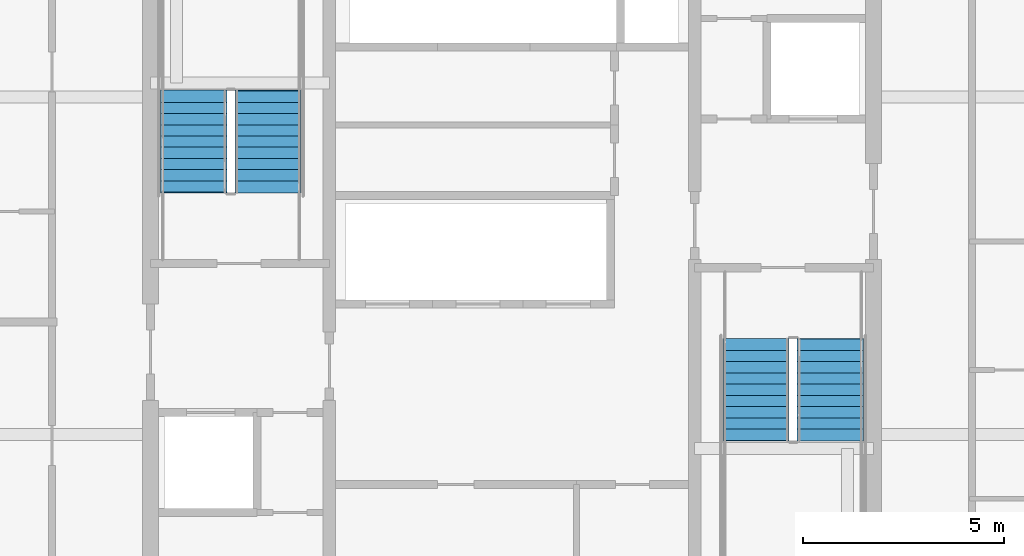
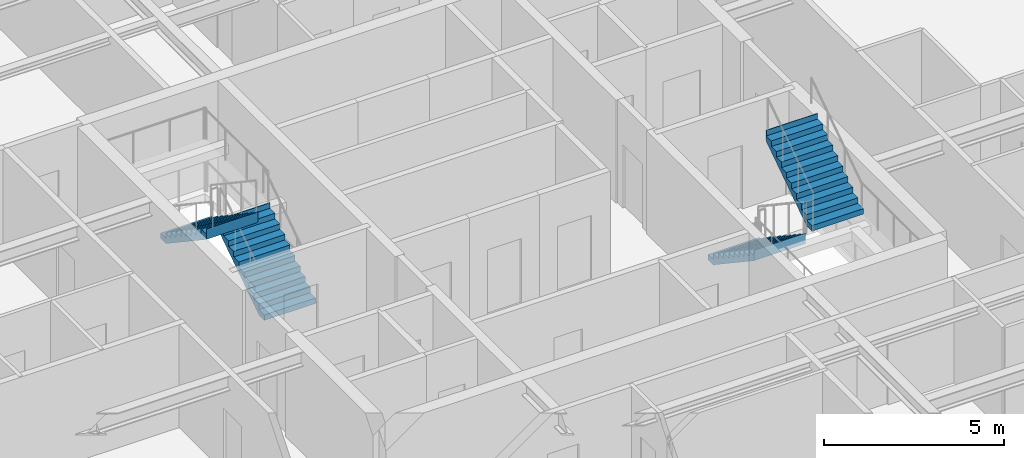
# One storey, part 30 of 35: 4 stair flights, 2 elements without a shape of their own.
"""IFC4 building model written with IfcOpenShell, lengths in metres."""

from ifc_helpers import new_model, si_unit, direction, frame, origin, place, context, subcontext, project, spatial, polygons, material, type_object, element, aggregate, save


model = new_model("IFC4")

# Units and contexts
model_context = context("Model", 3, precision=1e-05, world=origin(), true_north=direction((0.0, 1.0)))
body_context = subcontext(model_context, "Body", "Model", "MODEL_VIEW")
ifc_project = project(units=[si_unit("LENGTHUNIT", "METRE"), si_unit("AREAUNIT", "SQUARE_METRE"), si_unit("VOLUMEUNIT", "CUBIC_METRE"), si_unit("PLANEANGLEUNIT", "RADIAN"), si_unit("MASSUNIT", "GRAM", prefix="KILO")], contexts=[model_context])

# Site, building, storey
site_placement = place(None, origin())
site = spatial("IfcSite", under=ifc_project, at=site_placement, CompositionType="ELEMENT")
building_placement = place(site_placement, origin())
building = spatial("IfcBuilding", under=site, at=building_placement, Name="Serunith Strait Residences", CompositionType="ELEMENT")
storey_placement = place(building_placement, frame((0.0, 0.0, 172.64990234375)))
storey = spatial("IfcBuildingStorey", under=building, at=storey_placement, Name="L43", CompositionType="ELEMENT", Elevation=172.64990234375)

# Stair, stair flights
ifc_material = material(Name="Concrete C50/60", Category="concrete")
stair_type_1 = type_object("IfcStairType", Name="STR-CORE-1", PredefinedType="HALF_TURN_STAIR", material=ifc_material)
stair_1_placement = place(storey_placement, origin())
stair_1 = element("IfcStair", 1, at=stair_1_placement, inside=storey, type_object=stair_type_1, Name="L43 Protected Escape Stair ST-1", PredefinedType="HALF_TURN_STAIR")
stair_flight_type_1 = type_object("IfcStairFlightType", Name="FLT-CORE-1", PredefinedType="STRAIGHT", material=ifc_material)
stair_flight_1_placement = place(storey_placement, frame((26.324951171875, 27.030029296875, 0.0), z_axis=(0.0, 0.0, 1.0), x_axis=(0.0, 1.0, 0.0)))
stair_flight_1 = element("IfcStairFlight", 2, at=stair_flight_1_placement, type_object=stair_flight_type_1, Name="ST-1 flight 1", NumberOfRisers=10, NumberOfTreads=9, PredefinedType="STRAIGHT", RiserHeight=0.1875, TreadLength=0.28, context=body_context, shape_type="Tessellation", body=[
    polygons([(-0.02001953125, -0.824951171875, 0.0), (-0.02001953125, -0.824951171875, 0.1875), (0.280029296875, -0.824951171875, 0.1875), (0.280029296875, -0.824951171875, 0.375), (0.56005859375, -0.824951171875, 0.375), (0.56005859375, -0.824951171875, 0.5625), (0.840087890625, -0.824951171875, 0.5625), (0.840087890625, -0.824951171875, 0.75), (1.1201171875, -0.824951171875, 0.75), (1.1201171875, -0.824951171875, 0.9375), (1.39990234375, -0.824951171875, 0.9375), (1.39990234375, -0.824951171875, 1.125), (1.679931640625, -0.824951171875, 1.125), (1.679931640625, -0.824951171875, 1.3125), (1.9599609375, -0.824951171875, 1.3125), (1.9599609375, -0.824951171875, 1.5), (2.239990234375, -0.824951171875, 1.5), (2.239990234375, -0.824951171875, 1.6875), (2.52001953125, -0.824951171875, 1.6875), (2.52001953125, -0.824951171875, 1.875), (2.5400390625, -0.824951171875, 1.875), (2.5400390625, -0.824951171875, 1.81494140625), (2.52001953125, -0.824951171875, 1.507080078125), (0.26953125, -0.824951171875, 0.0), (-0.02001953125, -0.41259765625, 0.0), (-0.02001953125, -0.41259765625, 0.1875), (0.280029296875, -0.41259765625, 0.1875), (0.280029296875, -0.41259765625, 0.375), (0.56005859375, -0.41259765625, 0.375), (0.56005859375, -0.41259765625, 0.5625), (0.840087890625, -0.41259765625, 0.5625), (0.840087890625, -0.41259765625, 0.75), (1.1201171875, -0.41259765625, 0.75), (1.1201171875, -0.41259765625, 0.9375), (1.39990234375, -0.41259765625, 0.9375), (1.39990234375, -0.41259765625, 1.125), (1.679931640625, -0.41259765625, 1.125), (1.679931640625, -0.41259765625, 1.3125), (1.9599609375, -0.41259765625, 1.3125), (1.9599609375, -0.41259765625, 1.5), (2.239990234375, -0.41259765625, 1.5), (2.239990234375, -0.41259765625, 1.6875), (2.52001953125, -0.41259765625, 1.6875), (2.52001953125, -0.41259765625, 1.875), (2.5400390625, -0.41259765625, 1.875), (2.5400390625, -0.41259765625, 1.81494140625), (2.52001953125, -0.41259765625, 1.507080078125), (0.26953125, -0.41259765625, 0.0), (-0.02001953125, 0.0, 0.0), (-0.02001953125, 0.0, 0.1875), (0.280029296875, 0.0, 0.1875), (0.280029296875, 0.0, 0.375), (0.56005859375, 0.0, 0.375), (0.56005859375, 0.0, 0.5625), (0.840087890625, 0.0, 0.5625), (0.840087890625, 0.0, 0.75), (1.1201171875, 0.0, 0.75), (1.1201171875, 0.0, 0.9375), (1.39990234375, 0.0, 0.9375), (1.39990234375, 0.0, 1.125), (1.679931640625, 0.0, 1.125), (1.679931640625, 0.0, 1.3125), (1.9599609375, 0.0, 1.3125), (1.9599609375, 0.0, 1.5), (2.239990234375, 0.0, 1.5), (2.239990234375, 0.0, 1.6875), (2.52001953125, 0.0, 1.6875), (2.52001953125, 0.0, 1.875), (2.5400390625, 0.0, 1.875), (2.5400390625, 0.0, 1.81494140625), (2.52001953125, 0.0, 1.507080078125), (0.26953125, 0.0, 0.0), (-0.02001953125, 0.41259765625, 0.0), (-0.02001953125, 0.41259765625, 0.1875), (0.280029296875, 0.41259765625, 0.1875), (0.280029296875, 0.41259765625, 0.375), (0.56005859375, 0.41259765625, 0.375), (0.56005859375, 0.41259765625, 0.5625), (0.840087890625, 0.41259765625, 0.5625), (0.840087890625, 0.41259765625, 0.75), (1.1201171875, 0.41259765625, 0.75), (1.1201171875, 0.41259765625, 0.9375), (1.39990234375, 0.41259765625, 0.9375), (1.39990234375, 0.41259765625, 1.125), (1.679931640625, 0.41259765625, 1.125), (1.679931640625, 0.41259765625, 1.3125), (1.9599609375, 0.41259765625, 1.3125), (1.9599609375, 0.41259765625, 1.5), (2.239990234375, 0.41259765625, 1.5), (2.239990234375, 0.41259765625, 1.6875), (2.52001953125, 0.41259765625, 1.6875), (2.52001953125, 0.41259765625, 1.875), (2.5400390625, 0.41259765625, 1.875), (2.5400390625, 0.41259765625, 1.81494140625), (2.52001953125, 0.41259765625, 1.507080078125), (0.26953125, 0.41259765625, 0.0), (-0.02001953125, 0.824951171875, 0.0), (-0.02001953125, 0.824951171875, 0.1875), (0.280029296875, 0.824951171875, 0.1875), (0.280029296875, 0.824951171875, 0.375), (0.56005859375, 0.824951171875, 0.375), (0.56005859375, 0.824951171875, 0.5625), (0.840087890625, 0.824951171875, 0.5625), (0.840087890625, 0.824951171875, 0.75), (1.1201171875, 0.824951171875, 0.75), (1.1201171875, 0.824951171875, 0.9375), (1.39990234375, 0.824951171875, 0.9375), (1.39990234375, 0.824951171875, 1.125), (1.679931640625, 0.824951171875, 1.125), (1.679931640625, 0.824951171875, 1.3125), (1.9599609375, 0.824951171875, 1.3125), (1.9599609375, 0.824951171875, 1.5), (2.239990234375, 0.824951171875, 1.5), (2.239990234375, 0.824951171875, 1.6875), (2.52001953125, 0.824951171875, 1.6875), (2.52001953125, 0.824951171875, 1.875), (2.5400390625, 0.824951171875, 1.875), (2.5400390625, 0.824951171875, 1.81494140625), (2.52001953125, 0.824951171875, 1.507080078125), (0.26953125, 0.824951171875, 0.0)], [[[1, 2, 26, 25]], [[2, 3, 27, 26]], [[3, 4, 28, 27]], [[4, 5, 29, 28]], [[5, 6, 30, 29]], [[6, 7, 31, 30]], [[7, 8, 32, 31]], [[8, 9, 33, 32]], [[9, 10, 34, 33]], [[10, 11, 35, 34]], [[11, 12, 36, 35]], [[12, 13, 37, 36]], [[13, 14, 38, 37]], [[14, 15, 39, 38]], [[15, 16, 40, 39]], [[16, 17, 41, 40]], [[17, 18, 42, 41]], [[18, 19, 43, 42]], [[19, 20, 44, 43]], [[20, 21, 45, 44]], [[21, 22, 46, 45]], [[22, 23, 47, 46]], [[23, 24, 48, 47]], [[24, 1, 25, 48]], [[25, 26, 50, 49]], [[26, 27, 51, 50]], [[27, 28, 52, 51]], [[28, 29, 53, 52]], [[29, 30, 54, 53]], [[30, 31, 55, 54]], [[31, 32, 56, 55]], [[32, 33, 57, 56]], [[33, 34, 58, 57]], [[34, 35, 59, 58]], [[35, 36, 60, 59]], [[36, 37, 61, 60]], [[37, 38, 62, 61]], [[38, 39, 63, 62]], [[39, 40, 64, 63]], [[40, 41, 65, 64]], [[41, 42, 66, 65]], [[42, 43, 67, 66]], [[43, 44, 68, 67]], [[44, 45, 69, 68]], [[45, 46, 70, 69]], [[46, 47, 71, 70]], [[47, 48, 72, 71]], [[48, 25, 49, 72]], [[49, 50, 74, 73]], [[50, 51, 75, 74]], [[51, 52, 76, 75]], [[52, 53, 77, 76]], [[53, 54, 78, 77]], [[54, 55, 79, 78]], [[55, 56, 80, 79]], [[56, 57, 81, 80]], [[57, 58, 82, 81]], [[58, 59, 83, 82]], [[59, 60, 84, 83]], [[60, 61, 85, 84]], [[61, 62, 86, 85]], [[62, 63, 87, 86]], [[63, 64, 88, 87]], [[64, 65, 89, 88]], [[65, 66, 90, 89]], [[66, 67, 91, 90]], [[67, 68, 92, 91]], [[68, 69, 93, 92]], [[69, 70, 94, 93]], [[70, 71, 95, 94]], [[71, 72, 96, 95]], [[72, 49, 73, 96]], [[73, 74, 98, 97]], [[74, 75, 99, 98]], [[75, 76, 100, 99]], [[76, 77, 101, 100]], [[77, 78, 102, 101]], [[78, 79, 103, 102]], [[79, 80, 104, 103]], [[80, 81, 105, 104]], [[81, 82, 106, 105]], [[82, 83, 107, 106]], [[83, 84, 108, 107]], [[84, 85, 109, 108]], [[85, 86, 110, 109]], [[86, 87, 111, 110]], [[87, 88, 112, 111]], [[88, 89, 113, 112]], [[89, 90, 114, 113]], [[90, 91, 115, 114]], [[91, 92, 116, 115]], [[92, 93, 117, 116]], [[93, 94, 118, 117]], [[94, 95, 119, 118]], [[95, 96, 120, 119]], [[96, 73, 97, 120]], [[24, 23, 22, 21, 20, 19, 18, 17, 16, 15, 14, 13, 12, 11, 10, 9, 8, 7, 6, 5, 4, 3, 2, 1]], [[97, 98, 99, 100, 101, 102, 103, 104, 105, 106, 107, 108, 109, 110, 111, 112, 113, 114, 115, 116, 117, 118, 119, 120]]], closed=True),
])
stair_flight_2_placement = place(storey_placement, frame((24.47509765625, 29.550048828125, 1.875), z_axis=(0.0, 0.0, 1.0), x_axis=(0.0, -1.0, 0.0)))
stair_flight_2 = element("IfcStairFlight", 3, at=stair_flight_2_placement, type_object=stair_flight_type_1, Name="ST-1 flight 2", NumberOfRisers=10, NumberOfTreads=9, PredefinedType="STRAIGHT", RiserHeight=0.1875, TreadLength=0.28, context=body_context, shape_type="Tessellation", body=[
    polygons([(-0.02001953125, -0.824951171875, 0.0), (-0.02001953125, -0.824951171875, 0.1875), (0.280029296875, -0.824951171875, 0.1875), (0.280029296875, -0.824951171875, 0.375), (0.56005859375, -0.824951171875, 0.375), (0.56005859375, -0.824951171875, 0.5625), (0.840087890625, -0.824951171875, 0.5625), (0.840087890625, -0.824951171875, 0.75), (1.1201171875, -0.824951171875, 0.75), (1.1201171875, -0.824951171875, 0.9375), (1.39990234375, -0.824951171875, 0.9375), (1.39990234375, -0.824951171875, 1.125), (1.679931640625, -0.824951171875, 1.125), (1.679931640625, -0.824951171875, 1.3125), (1.9599609375, -0.824951171875, 1.3125), (1.9599609375, -0.824951171875, 1.5), (2.239990234375, -0.824951171875, 1.5), (2.239990234375, -0.824951171875, 1.6875), (2.52001953125, -0.824951171875, 1.6875), (2.52001953125, -0.824951171875, 1.875), (2.5400390625, -0.824951171875, 1.875), (2.5400390625, -0.824951171875, 1.81494140625), (2.52001953125, -0.824951171875, 1.507080078125), (0.26953125, -0.824951171875, 0.0), (-0.02001953125, -0.41259765625, 0.0), (-0.02001953125, -0.41259765625, 0.1875), (0.280029296875, -0.41259765625, 0.1875), (0.280029296875, -0.41259765625, 0.375), (0.56005859375, -0.41259765625, 0.375), (0.56005859375, -0.41259765625, 0.5625), (0.840087890625, -0.41259765625, 0.5625), (0.840087890625, -0.41259765625, 0.75), (1.1201171875, -0.41259765625, 0.75), (1.1201171875, -0.41259765625, 0.9375), (1.39990234375, -0.41259765625, 0.9375), (1.39990234375, -0.41259765625, 1.125), (1.679931640625, -0.41259765625, 1.125), (1.679931640625, -0.41259765625, 1.3125), (1.9599609375, -0.41259765625, 1.3125), (1.9599609375, -0.41259765625, 1.5), (2.239990234375, -0.41259765625, 1.5), (2.239990234375, -0.41259765625, 1.6875), (2.52001953125, -0.41259765625, 1.6875), (2.52001953125, -0.41259765625, 1.875), (2.5400390625, -0.41259765625, 1.875), (2.5400390625, -0.41259765625, 1.81494140625), (2.52001953125, -0.41259765625, 1.507080078125), (0.26953125, -0.41259765625, 0.0), (-0.02001953125, 0.0, 0.0), (-0.02001953125, 0.0, 0.1875), (0.280029296875, 0.0, 0.1875), (0.280029296875, 0.0, 0.375), (0.56005859375, 0.0, 0.375), (0.56005859375, 0.0, 0.5625), (0.840087890625, 0.0, 0.5625), (0.840087890625, 0.0, 0.75), (1.1201171875, 0.0, 0.75), (1.1201171875, 0.0, 0.9375), (1.39990234375, 0.0, 0.9375), (1.39990234375, 0.0, 1.125), (1.679931640625, 0.0, 1.125), (1.679931640625, 0.0, 1.3125), (1.9599609375, 0.0, 1.3125), (1.9599609375, 0.0, 1.5), (2.239990234375, 0.0, 1.5), (2.239990234375, 0.0, 1.6875), (2.52001953125, 0.0, 1.6875), (2.52001953125, 0.0, 1.875), (2.5400390625, 0.0, 1.875), (2.5400390625, 0.0, 1.81494140625), (2.52001953125, 0.0, 1.507080078125), (0.26953125, 0.0, 0.0), (-0.02001953125, 0.41259765625, 0.0), (-0.02001953125, 0.41259765625, 0.1875), (0.280029296875, 0.41259765625, 0.1875), (0.280029296875, 0.41259765625, 0.375), (0.56005859375, 0.41259765625, 0.375), (0.56005859375, 0.41259765625, 0.5625), (0.840087890625, 0.41259765625, 0.5625), (0.840087890625, 0.41259765625, 0.75), (1.1201171875, 0.41259765625, 0.75), (1.1201171875, 0.41259765625, 0.9375), (1.39990234375, 0.41259765625, 0.9375), (1.39990234375, 0.41259765625, 1.125), (1.679931640625, 0.41259765625, 1.125), (1.679931640625, 0.41259765625, 1.3125), (1.9599609375, 0.41259765625, 1.3125), (1.9599609375, 0.41259765625, 1.5), (2.239990234375, 0.41259765625, 1.5), (2.239990234375, 0.41259765625, 1.6875), (2.52001953125, 0.41259765625, 1.6875), (2.52001953125, 0.41259765625, 1.875), (2.5400390625, 0.41259765625, 1.875), (2.5400390625, 0.41259765625, 1.81494140625), (2.52001953125, 0.41259765625, 1.507080078125), (0.26953125, 0.41259765625, 0.0), (-0.02001953125, 0.824951171875, 0.0), (-0.02001953125, 0.824951171875, 0.1875), (0.280029296875, 0.824951171875, 0.1875), (0.280029296875, 0.824951171875, 0.375), (0.56005859375, 0.824951171875, 0.375), (0.56005859375, 0.824951171875, 0.5625), (0.840087890625, 0.824951171875, 0.5625), (0.840087890625, 0.824951171875, 0.75), (1.1201171875, 0.824951171875, 0.75), (1.1201171875, 0.824951171875, 0.9375), (1.39990234375, 0.824951171875, 0.9375), (1.39990234375, 0.824951171875, 1.125), (1.679931640625, 0.824951171875, 1.125), (1.679931640625, 0.824951171875, 1.3125), (1.9599609375, 0.824951171875, 1.3125), (1.9599609375, 0.824951171875, 1.5), (2.239990234375, 0.824951171875, 1.5), (2.239990234375, 0.824951171875, 1.6875), (2.52001953125, 0.824951171875, 1.6875), (2.52001953125, 0.824951171875, 1.875), (2.5400390625, 0.824951171875, 1.875), (2.5400390625, 0.824951171875, 1.81494140625), (2.52001953125, 0.824951171875, 1.507080078125), (0.26953125, 0.824951171875, 0.0)], [[[1, 2, 26, 25]], [[2, 3, 27, 26]], [[3, 4, 28, 27]], [[4, 5, 29, 28]], [[5, 6, 30, 29]], [[6, 7, 31, 30]], [[7, 8, 32, 31]], [[8, 9, 33, 32]], [[9, 10, 34, 33]], [[10, 11, 35, 34]], [[11, 12, 36, 35]], [[12, 13, 37, 36]], [[13, 14, 38, 37]], [[14, 15, 39, 38]], [[15, 16, 40, 39]], [[16, 17, 41, 40]], [[17, 18, 42, 41]], [[18, 19, 43, 42]], [[19, 20, 44, 43]], [[20, 21, 45, 44]], [[21, 22, 46, 45]], [[22, 23, 47, 46]], [[23, 24, 48, 47]], [[24, 1, 25, 48]], [[25, 26, 50, 49]], [[26, 27, 51, 50]], [[27, 28, 52, 51]], [[28, 29, 53, 52]], [[29, 30, 54, 53]], [[30, 31, 55, 54]], [[31, 32, 56, 55]], [[32, 33, 57, 56]], [[33, 34, 58, 57]], [[34, 35, 59, 58]], [[35, 36, 60, 59]], [[36, 37, 61, 60]], [[37, 38, 62, 61]], [[38, 39, 63, 62]], [[39, 40, 64, 63]], [[40, 41, 65, 64]], [[41, 42, 66, 65]], [[42, 43, 67, 66]], [[43, 44, 68, 67]], [[44, 45, 69, 68]], [[45, 46, 70, 69]], [[46, 47, 71, 70]], [[47, 48, 72, 71]], [[48, 25, 49, 72]], [[49, 50, 74, 73]], [[50, 51, 75, 74]], [[51, 52, 76, 75]], [[52, 53, 77, 76]], [[53, 54, 78, 77]], [[54, 55, 79, 78]], [[55, 56, 80, 79]], [[56, 57, 81, 80]], [[57, 58, 82, 81]], [[58, 59, 83, 82]], [[59, 60, 84, 83]], [[60, 61, 85, 84]], [[61, 62, 86, 85]], [[62, 63, 87, 86]], [[63, 64, 88, 87]], [[64, 65, 89, 88]], [[65, 66, 90, 89]], [[66, 67, 91, 90]], [[67, 68, 92, 91]], [[68, 69, 93, 92]], [[69, 70, 94, 93]], [[70, 71, 95, 94]], [[71, 72, 96, 95]], [[72, 49, 73, 96]], [[73, 74, 98, 97]], [[74, 75, 99, 98]], [[75, 76, 100, 99]], [[76, 77, 101, 100]], [[77, 78, 102, 101]], [[78, 79, 103, 102]], [[79, 80, 104, 103]], [[80, 81, 105, 104]], [[81, 82, 106, 105]], [[82, 83, 107, 106]], [[83, 84, 108, 107]], [[84, 85, 109, 108]], [[85, 86, 110, 109]], [[86, 87, 111, 110]], [[87, 88, 112, 111]], [[88, 89, 113, 112]], [[89, 90, 114, 113]], [[90, 91, 115, 114]], [[91, 92, 116, 115]], [[92, 93, 117, 116]], [[93, 94, 118, 117]], [[94, 95, 119, 118]], [[95, 96, 120, 119]], [[96, 73, 97, 120]], [[24, 23, 22, 21, 20, 19, 18, 17, 16, 15, 14, 13, 12, 11, 10, 9, 8, 7, 6, 5, 4, 3, 2, 1]], [[97, 98, 99, 100, 101, 102, 103, 104, 105, 106, 107, 108, 109, 110, 111, 112, 113, 114, 115, 116, 117, 118, 119, 120]]], closed=True),
])
aggregate(stair_1, [stair_flight_1, stair_flight_2])

stair_type_2 = type_object("IfcStairType", Name="STR-CORE-2", PredefinedType="HALF_TURN_STAIR", material=ifc_material)
stair_2_placement = place(storey_placement, origin())
stair_2 = element("IfcStair", 4, at=stair_2_placement, inside=storey, type_object=stair_type_2, Name="L43 Protected Escape Stair ST-2", PredefinedType="HALF_TURN_STAIR")
stair_flight_type_2 = type_object("IfcStairFlightType", Name="FLT-CORE-2", PredefinedType="STRAIGHT", material=ifc_material)
stair_flight_3_placement = place(storey_placement, frame((38.47509765625, 23.3701171875, 0.0), z_axis=(0.0, 0.0, 1.0), x_axis=(0.0, -1.0, 0.0)))
stair_flight_3 = element("IfcStairFlight", 5, at=stair_flight_3_placement, type_object=stair_flight_type_2, Name="ST-2 flight 1", NumberOfRisers=10, NumberOfTreads=9, PredefinedType="STRAIGHT", RiserHeight=0.1875, TreadLength=0.28, context=body_context, shape_type="Tessellation", body=[
    polygons([(-0.02001953125, -0.824951171875, 0.0), (-0.02001953125, -0.824951171875, 0.1875), (0.280029296875, -0.824951171875, 0.1875), (0.280029296875, -0.824951171875, 0.375), (0.56005859375, -0.824951171875, 0.375), (0.56005859375, -0.824951171875, 0.5625), (0.840087890625, -0.824951171875, 0.5625), (0.840087890625, -0.824951171875, 0.75), (1.1201171875, -0.824951171875, 0.75), (1.1201171875, -0.824951171875, 0.9375), (1.39990234375, -0.824951171875, 0.9375), (1.39990234375, -0.824951171875, 1.125), (1.679931640625, -0.824951171875, 1.125), (1.679931640625, -0.824951171875, 1.3125), (1.9599609375, -0.824951171875, 1.3125), (1.9599609375, -0.824951171875, 1.5), (2.239990234375, -0.824951171875, 1.5), (2.239990234375, -0.824951171875, 1.6875), (2.52001953125, -0.824951171875, 1.6875), (2.52001953125, -0.824951171875, 1.875), (2.5400390625, -0.824951171875, 1.875), (2.5400390625, -0.824951171875, 1.81494140625), (2.52001953125, -0.824951171875, 1.507080078125), (0.26953125, -0.824951171875, 0.0), (-0.02001953125, -0.41259765625, 0.0), (-0.02001953125, -0.41259765625, 0.1875), (0.280029296875, -0.41259765625, 0.1875), (0.280029296875, -0.41259765625, 0.375), (0.56005859375, -0.41259765625, 0.375), (0.56005859375, -0.41259765625, 0.5625), (0.840087890625, -0.41259765625, 0.5625), (0.840087890625, -0.41259765625, 0.75), (1.1201171875, -0.41259765625, 0.75), (1.1201171875, -0.41259765625, 0.9375), (1.39990234375, -0.41259765625, 0.9375), (1.39990234375, -0.41259765625, 1.125), (1.679931640625, -0.41259765625, 1.125), (1.679931640625, -0.41259765625, 1.3125), (1.9599609375, -0.41259765625, 1.3125), (1.9599609375, -0.41259765625, 1.5), (2.239990234375, -0.41259765625, 1.5), (2.239990234375, -0.41259765625, 1.6875), (2.52001953125, -0.41259765625, 1.6875), (2.52001953125, -0.41259765625, 1.875), (2.5400390625, -0.41259765625, 1.875), (2.5400390625, -0.41259765625, 1.81494140625), (2.52001953125, -0.41259765625, 1.507080078125), (0.26953125, -0.41259765625, 0.0), (-0.02001953125, 0.0, 0.0), (-0.02001953125, 0.0, 0.1875), (0.280029296875, 0.0, 0.1875), (0.280029296875, 0.0, 0.375), (0.56005859375, 0.0, 0.375), (0.56005859375, 0.0, 0.5625), (0.840087890625, 0.0, 0.5625), (0.840087890625, 0.0, 0.75), (1.1201171875, 0.0, 0.75), (1.1201171875, 0.0, 0.9375), (1.39990234375, 0.0, 0.9375), (1.39990234375, 0.0, 1.125), (1.679931640625, 0.0, 1.125), (1.679931640625, 0.0, 1.3125), (1.9599609375, 0.0, 1.3125), (1.9599609375, 0.0, 1.5), (2.239990234375, 0.0, 1.5), (2.239990234375, 0.0, 1.6875), (2.52001953125, 0.0, 1.6875), (2.52001953125, 0.0, 1.875), (2.5400390625, 0.0, 1.875), (2.5400390625, 0.0, 1.81494140625), (2.52001953125, 0.0, 1.507080078125), (0.26953125, 0.0, 0.0), (-0.02001953125, 0.41259765625, 0.0), (-0.02001953125, 0.41259765625, 0.1875), (0.280029296875, 0.41259765625, 0.1875), (0.280029296875, 0.41259765625, 0.375), (0.56005859375, 0.41259765625, 0.375), (0.56005859375, 0.41259765625, 0.5625), (0.840087890625, 0.41259765625, 0.5625), (0.840087890625, 0.41259765625, 0.75), (1.1201171875, 0.41259765625, 0.75), (1.1201171875, 0.41259765625, 0.9375), (1.39990234375, 0.41259765625, 0.9375), (1.39990234375, 0.41259765625, 1.125), (1.679931640625, 0.41259765625, 1.125), (1.679931640625, 0.41259765625, 1.3125), (1.9599609375, 0.41259765625, 1.3125), (1.9599609375, 0.41259765625, 1.5), (2.239990234375, 0.41259765625, 1.5), (2.239990234375, 0.41259765625, 1.6875), (2.52001953125, 0.41259765625, 1.6875), (2.52001953125, 0.41259765625, 1.875), (2.5400390625, 0.41259765625, 1.875), (2.5400390625, 0.41259765625, 1.81494140625), (2.52001953125, 0.41259765625, 1.507080078125), (0.26953125, 0.41259765625, 0.0), (-0.02001953125, 0.824951171875, 0.0), (-0.02001953125, 0.824951171875, 0.1875), (0.280029296875, 0.824951171875, 0.1875), (0.280029296875, 0.824951171875, 0.375), (0.56005859375, 0.824951171875, 0.375), (0.56005859375, 0.824951171875, 0.5625), (0.840087890625, 0.824951171875, 0.5625), (0.840087890625, 0.824951171875, 0.75), (1.1201171875, 0.824951171875, 0.75), (1.1201171875, 0.824951171875, 0.9375), (1.39990234375, 0.824951171875, 0.9375), (1.39990234375, 0.824951171875, 1.125), (1.679931640625, 0.824951171875, 1.125), (1.679931640625, 0.824951171875, 1.3125), (1.9599609375, 0.824951171875, 1.3125), (1.9599609375, 0.824951171875, 1.5), (2.239990234375, 0.824951171875, 1.5), (2.239990234375, 0.824951171875, 1.6875), (2.52001953125, 0.824951171875, 1.6875), (2.52001953125, 0.824951171875, 1.875), (2.5400390625, 0.824951171875, 1.875), (2.5400390625, 0.824951171875, 1.81494140625), (2.52001953125, 0.824951171875, 1.507080078125), (0.26953125, 0.824951171875, 0.0)], [[[1, 2, 26, 25]], [[2, 3, 27, 26]], [[3, 4, 28, 27]], [[4, 5, 29, 28]], [[5, 6, 30, 29]], [[6, 7, 31, 30]], [[7, 8, 32, 31]], [[8, 9, 33, 32]], [[9, 10, 34, 33]], [[10, 11, 35, 34]], [[11, 12, 36, 35]], [[12, 13, 37, 36]], [[13, 14, 38, 37]], [[14, 15, 39, 38]], [[15, 16, 40, 39]], [[16, 17, 41, 40]], [[17, 18, 42, 41]], [[18, 19, 43, 42]], [[19, 20, 44, 43]], [[20, 21, 45, 44]], [[21, 22, 46, 45]], [[22, 23, 47, 46]], [[23, 24, 48, 47]], [[24, 1, 25, 48]], [[25, 26, 50, 49]], [[26, 27, 51, 50]], [[27, 28, 52, 51]], [[28, 29, 53, 52]], [[29, 30, 54, 53]], [[30, 31, 55, 54]], [[31, 32, 56, 55]], [[32, 33, 57, 56]], [[33, 34, 58, 57]], [[34, 35, 59, 58]], [[35, 36, 60, 59]], [[36, 37, 61, 60]], [[37, 38, 62, 61]], [[38, 39, 63, 62]], [[39, 40, 64, 63]], [[40, 41, 65, 64]], [[41, 42, 66, 65]], [[42, 43, 67, 66]], [[43, 44, 68, 67]], [[44, 45, 69, 68]], [[45, 46, 70, 69]], [[46, 47, 71, 70]], [[47, 48, 72, 71]], [[48, 25, 49, 72]], [[49, 50, 74, 73]], [[50, 51, 75, 74]], [[51, 52, 76, 75]], [[52, 53, 77, 76]], [[53, 54, 78, 77]], [[54, 55, 79, 78]], [[55, 56, 80, 79]], [[56, 57, 81, 80]], [[57, 58, 82, 81]], [[58, 59, 83, 82]], [[59, 60, 84, 83]], [[60, 61, 85, 84]], [[61, 62, 86, 85]], [[62, 63, 87, 86]], [[63, 64, 88, 87]], [[64, 65, 89, 88]], [[65, 66, 90, 89]], [[66, 67, 91, 90]], [[67, 68, 92, 91]], [[68, 69, 93, 92]], [[69, 70, 94, 93]], [[70, 71, 95, 94]], [[71, 72, 96, 95]], [[72, 49, 73, 96]], [[73, 74, 98, 97]], [[74, 75, 99, 98]], [[75, 76, 100, 99]], [[76, 77, 101, 100]], [[77, 78, 102, 101]], [[78, 79, 103, 102]], [[79, 80, 104, 103]], [[80, 81, 105, 104]], [[81, 82, 106, 105]], [[82, 83, 107, 106]], [[83, 84, 108, 107]], [[84, 85, 109, 108]], [[85, 86, 110, 109]], [[86, 87, 111, 110]], [[87, 88, 112, 111]], [[88, 89, 113, 112]], [[89, 90, 114, 113]], [[90, 91, 115, 114]], [[91, 92, 116, 115]], [[92, 93, 117, 116]], [[93, 94, 118, 117]], [[94, 95, 119, 118]], [[95, 96, 120, 119]], [[96, 73, 97, 120]], [[24, 23, 22, 21, 20, 19, 18, 17, 16, 15, 14, 13, 12, 11, 10, 9, 8, 7, 6, 5, 4, 3, 2, 1]], [[97, 98, 99, 100, 101, 102, 103, 104, 105, 106, 107, 108, 109, 110, 111, 112, 113, 114, 115, 116, 117, 118, 119, 120]]], closed=True),
])
stair_flight_4_placement = place(storey_placement, frame((40.324951171875, 20.85009765625, 1.875), z_axis=(0.0, 0.0, 1.0), x_axis=(0.0, 1.0, 0.0)))
stair_flight_4 = element("IfcStairFlight", 6, at=stair_flight_4_placement, type_object=stair_flight_type_2, Name="ST-2 flight 2", NumberOfRisers=10, NumberOfTreads=9, PredefinedType="STRAIGHT", RiserHeight=0.1875, TreadLength=0.28, context=body_context, shape_type="Tessellation", body=[
    polygons([(-0.02001953125, -0.824951171875, 0.0), (-0.02001953125, -0.824951171875, 0.1875), (0.280029296875, -0.824951171875, 0.1875), (0.280029296875, -0.824951171875, 0.375), (0.56005859375, -0.824951171875, 0.375), (0.56005859375, -0.824951171875, 0.5625), (0.840087890625, -0.824951171875, 0.5625), (0.840087890625, -0.824951171875, 0.75), (1.1201171875, -0.824951171875, 0.75), (1.1201171875, -0.824951171875, 0.9375), (1.39990234375, -0.824951171875, 0.9375), (1.39990234375, -0.824951171875, 1.125), (1.679931640625, -0.824951171875, 1.125), (1.679931640625, -0.824951171875, 1.3125), (1.9599609375, -0.824951171875, 1.3125), (1.9599609375, -0.824951171875, 1.5), (2.239990234375, -0.824951171875, 1.5), (2.239990234375, -0.824951171875, 1.6875), (2.52001953125, -0.824951171875, 1.6875), (2.52001953125, -0.824951171875, 1.875), (2.5400390625, -0.824951171875, 1.875), (2.5400390625, -0.824951171875, 1.81494140625), (2.52001953125, -0.824951171875, 1.507080078125), (0.26953125, -0.824951171875, 0.0), (-0.02001953125, -0.41259765625, 0.0), (-0.02001953125, -0.41259765625, 0.1875), (0.280029296875, -0.41259765625, 0.1875), (0.280029296875, -0.41259765625, 0.375), (0.56005859375, -0.41259765625, 0.375), (0.56005859375, -0.41259765625, 0.5625), (0.840087890625, -0.41259765625, 0.5625), (0.840087890625, -0.41259765625, 0.75), (1.1201171875, -0.41259765625, 0.75), (1.1201171875, -0.41259765625, 0.9375), (1.39990234375, -0.41259765625, 0.9375), (1.39990234375, -0.41259765625, 1.125), (1.679931640625, -0.41259765625, 1.125), (1.679931640625, -0.41259765625, 1.3125), (1.9599609375, -0.41259765625, 1.3125), (1.9599609375, -0.41259765625, 1.5), (2.239990234375, -0.41259765625, 1.5), (2.239990234375, -0.41259765625, 1.6875), (2.52001953125, -0.41259765625, 1.6875), (2.52001953125, -0.41259765625, 1.875), (2.5400390625, -0.41259765625, 1.875), (2.5400390625, -0.41259765625, 1.81494140625), (2.52001953125, -0.41259765625, 1.507080078125), (0.26953125, -0.41259765625, 0.0), (-0.02001953125, 0.0, 0.0), (-0.02001953125, 0.0, 0.1875), (0.280029296875, 0.0, 0.1875), (0.280029296875, 0.0, 0.375), (0.56005859375, 0.0, 0.375), (0.56005859375, 0.0, 0.5625), (0.840087890625, 0.0, 0.5625), (0.840087890625, 0.0, 0.75), (1.1201171875, 0.0, 0.75), (1.1201171875, 0.0, 0.9375), (1.39990234375, 0.0, 0.9375), (1.39990234375, 0.0, 1.125), (1.679931640625, 0.0, 1.125), (1.679931640625, 0.0, 1.3125), (1.9599609375, 0.0, 1.3125), (1.9599609375, 0.0, 1.5), (2.239990234375, 0.0, 1.5), (2.239990234375, 0.0, 1.6875), (2.52001953125, 0.0, 1.6875), (2.52001953125, 0.0, 1.875), (2.5400390625, 0.0, 1.875), (2.5400390625, 0.0, 1.81494140625), (2.52001953125, 0.0, 1.507080078125), (0.26953125, 0.0, 0.0), (-0.02001953125, 0.41259765625, 0.0), (-0.02001953125, 0.41259765625, 0.1875), (0.280029296875, 0.41259765625, 0.1875), (0.280029296875, 0.41259765625, 0.375), (0.56005859375, 0.41259765625, 0.375), (0.56005859375, 0.41259765625, 0.5625), (0.840087890625, 0.41259765625, 0.5625), (0.840087890625, 0.41259765625, 0.75), (1.1201171875, 0.41259765625, 0.75), (1.1201171875, 0.41259765625, 0.9375), (1.39990234375, 0.41259765625, 0.9375), (1.39990234375, 0.41259765625, 1.125), (1.679931640625, 0.41259765625, 1.125), (1.679931640625, 0.41259765625, 1.3125), (1.9599609375, 0.41259765625, 1.3125), (1.9599609375, 0.41259765625, 1.5), (2.239990234375, 0.41259765625, 1.5), (2.239990234375, 0.41259765625, 1.6875), (2.52001953125, 0.41259765625, 1.6875), (2.52001953125, 0.41259765625, 1.875), (2.5400390625, 0.41259765625, 1.875), (2.5400390625, 0.41259765625, 1.81494140625), (2.52001953125, 0.41259765625, 1.507080078125), (0.26953125, 0.41259765625, 0.0), (-0.02001953125, 0.824951171875, 0.0), (-0.02001953125, 0.824951171875, 0.1875), (0.280029296875, 0.824951171875, 0.1875), (0.280029296875, 0.824951171875, 0.375), (0.56005859375, 0.824951171875, 0.375), (0.56005859375, 0.824951171875, 0.5625), (0.840087890625, 0.824951171875, 0.5625), (0.840087890625, 0.824951171875, 0.75), (1.1201171875, 0.824951171875, 0.75), (1.1201171875, 0.824951171875, 0.9375), (1.39990234375, 0.824951171875, 0.9375), (1.39990234375, 0.824951171875, 1.125), (1.679931640625, 0.824951171875, 1.125), (1.679931640625, 0.824951171875, 1.3125), (1.9599609375, 0.824951171875, 1.3125), (1.9599609375, 0.824951171875, 1.5), (2.239990234375, 0.824951171875, 1.5), (2.239990234375, 0.824951171875, 1.6875), (2.52001953125, 0.824951171875, 1.6875), (2.52001953125, 0.824951171875, 1.875), (2.5400390625, 0.824951171875, 1.875), (2.5400390625, 0.824951171875, 1.81494140625), (2.52001953125, 0.824951171875, 1.507080078125), (0.26953125, 0.824951171875, 0.0)], [[[1, 2, 26, 25]], [[2, 3, 27, 26]], [[3, 4, 28, 27]], [[4, 5, 29, 28]], [[5, 6, 30, 29]], [[6, 7, 31, 30]], [[7, 8, 32, 31]], [[8, 9, 33, 32]], [[9, 10, 34, 33]], [[10, 11, 35, 34]], [[11, 12, 36, 35]], [[12, 13, 37, 36]], [[13, 14, 38, 37]], [[14, 15, 39, 38]], [[15, 16, 40, 39]], [[16, 17, 41, 40]], [[17, 18, 42, 41]], [[18, 19, 43, 42]], [[19, 20, 44, 43]], [[20, 21, 45, 44]], [[21, 22, 46, 45]], [[22, 23, 47, 46]], [[23, 24, 48, 47]], [[24, 1, 25, 48]], [[25, 26, 50, 49]], [[26, 27, 51, 50]], [[27, 28, 52, 51]], [[28, 29, 53, 52]], [[29, 30, 54, 53]], [[30, 31, 55, 54]], [[31, 32, 56, 55]], [[32, 33, 57, 56]], [[33, 34, 58, 57]], [[34, 35, 59, 58]], [[35, 36, 60, 59]], [[36, 37, 61, 60]], [[37, 38, 62, 61]], [[38, 39, 63, 62]], [[39, 40, 64, 63]], [[40, 41, 65, 64]], [[41, 42, 66, 65]], [[42, 43, 67, 66]], [[43, 44, 68, 67]], [[44, 45, 69, 68]], [[45, 46, 70, 69]], [[46, 47, 71, 70]], [[47, 48, 72, 71]], [[48, 25, 49, 72]], [[49, 50, 74, 73]], [[50, 51, 75, 74]], [[51, 52, 76, 75]], [[52, 53, 77, 76]], [[53, 54, 78, 77]], [[54, 55, 79, 78]], [[55, 56, 80, 79]], [[56, 57, 81, 80]], [[57, 58, 82, 81]], [[58, 59, 83, 82]], [[59, 60, 84, 83]], [[60, 61, 85, 84]], [[61, 62, 86, 85]], [[62, 63, 87, 86]], [[63, 64, 88, 87]], [[64, 65, 89, 88]], [[65, 66, 90, 89]], [[66, 67, 91, 90]], [[67, 68, 92, 91]], [[68, 69, 93, 92]], [[69, 70, 94, 93]], [[70, 71, 95, 94]], [[71, 72, 96, 95]], [[72, 49, 73, 96]], [[73, 74, 98, 97]], [[74, 75, 99, 98]], [[75, 76, 100, 99]], [[76, 77, 101, 100]], [[77, 78, 102, 101]], [[78, 79, 103, 102]], [[79, 80, 104, 103]], [[80, 81, 105, 104]], [[81, 82, 106, 105]], [[82, 83, 107, 106]], [[83, 84, 108, 107]], [[84, 85, 109, 108]], [[85, 86, 110, 109]], [[86, 87, 111, 110]], [[87, 88, 112, 111]], [[88, 89, 113, 112]], [[89, 90, 114, 113]], [[90, 91, 115, 114]], [[91, 92, 116, 115]], [[92, 93, 117, 116]], [[93, 94, 118, 117]], [[94, 95, 119, 118]], [[95, 96, 120, 119]], [[96, 73, 97, 120]], [[24, 23, 22, 21, 20, 19, 18, 17, 16, 15, 14, 13, 12, 11, 10, 9, 8, 7, 6, 5, 4, 3, 2, 1]], [[97, 98, 99, 100, 101, 102, 103, 104, 105, 106, 107, 108, 109, 110, 111, 112, 113, 114, 115, 116, 117, 118, 119, 120]]], closed=True),
])
aggregate(stair_2, [stair_flight_3, stair_flight_4])

save(model, "model.ifc")
